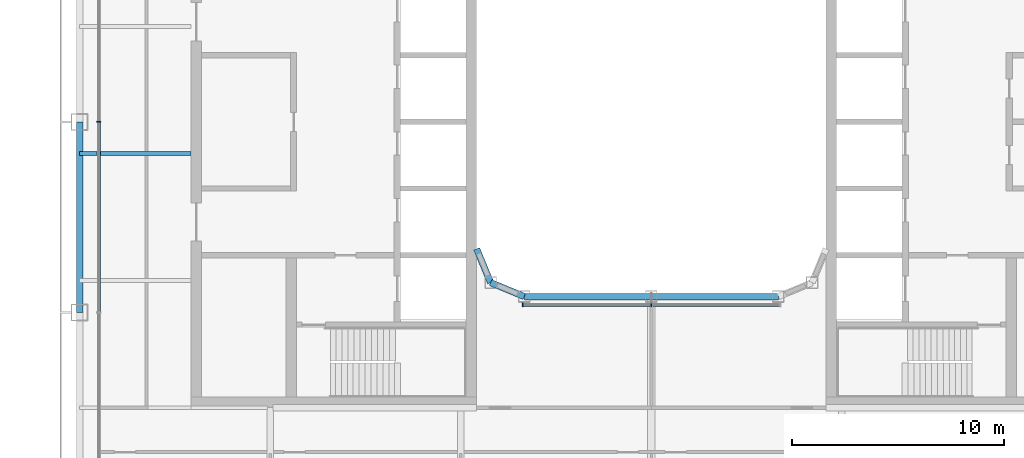
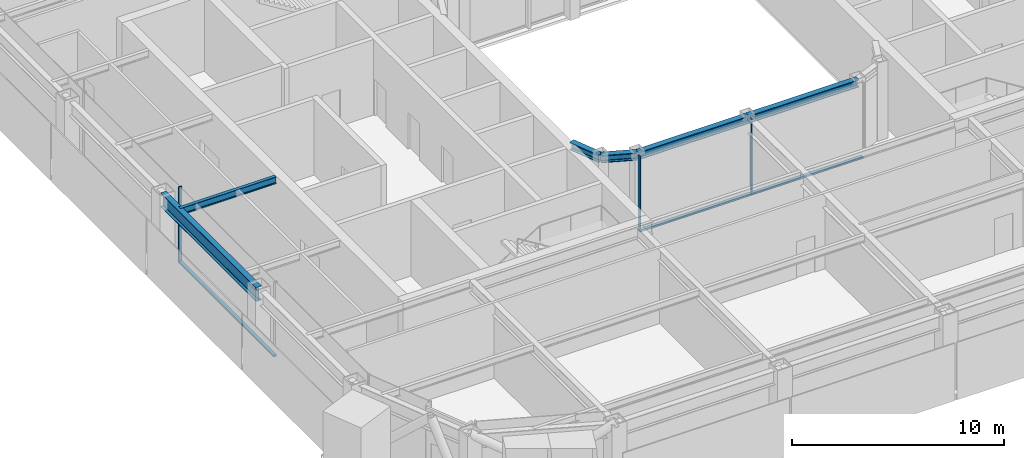
# One storey, part 3 of 23: 6 beams, 6 members, 2 elements without a shape of their own.
"""IFC4 building model written with IfcOpenShell, lengths in metres."""

from ifc_helpers import new_model, si_unit, direction, frame, origin, origin_2d, place, context, subcontext, project, spatial, rectangle, i_section, extrude, material, layer, layer_set, material_profile, profile_set, type_object, element, aggregate, save


model = new_model("IFC4")

# Units and contexts
model_context = context("Model", 3, precision=1e-05, world=origin(), true_north=direction((0.0, 1.0)))
body_context = subcontext(model_context, "Body", "Model", "MODEL_VIEW")
ifc_project = project(units=[si_unit("LENGTHUNIT", "METRE"), si_unit("AREAUNIT", "SQUARE_METRE"), si_unit("VOLUMEUNIT", "CUBIC_METRE"), si_unit("PLANEANGLEUNIT", "RADIAN"), si_unit("MASSUNIT", "GRAM", prefix="KILO")], contexts=[model_context])

# Site, building, storey
site_placement = place(None, origin())
site = spatial("IfcSite", under=ifc_project, at=site_placement, CompositionType="ELEMENT")
building_placement = place(site_placement, origin())
building = spatial("IfcBuilding", under=site, at=building_placement, Name="Siwar Civic Tower", CompositionType="ELEMENT")
storey_placement = place(building_placement, frame((0.0, 0.0, 269.199951171875)))
storey = spatial("IfcBuildingStorey", under=building, at=storey_placement, Name="L58", CompositionType="ELEMENT", Elevation=269.199951171875)

# Curtain wall, member
ifc_material_1 = material(Name="Aluminium and glass", Category="aluminium")
ifc_layer_1 = layer(ifc_material_1, 0.179931640625)
ifc_layer_set_1 = layer_set([ifc_layer_1], Name="Aluminium and glass")
curtain_wall_type_1 = type_object("IfcCurtainWallType", Name="ENV-CW-C", PredefinedType="NOTDEFINED", material=ifc_layer_set_1)
curtain_wall_1_placement = place(storey_placement, origin())
curtain_wall_1 = element("IfcCurtainWall", 1, at=curtain_wall_1_placement, inside=storey, type_object=curtain_wall_type_1, Name="Curtain wall C W", PredefinedType="NOTDEFINED")
ifc_material_2 = material(Name="Aluminium 6063-T6", Category="aluminium")
ifc_material_profile_1 = material_profile(ifc_material_2, rectangle(XDim=0.179931640625, YDim=0.06005859375, at=origin_2d()), Name="AL 180x60")
ifc_profile_set_1 = profile_set([ifc_material_profile_1], Name="Aluminium 6063-T6")
member_type_1 = type_object("IfcMemberType", Name="ENV-MULLION-C", PredefinedType="MULLION", material=ifc_profile_set_1)
member_1_placement = place(storey_placement, frame((-26.10009765625, 0.0, 0.0), z_axis=(0.0, 0.0, 1.0), x_axis=(1.0, 0.0, 0.0)))
member_1 = element("IfcMember", 2, at=member_1_placement, type_object=member_type_1, Name="Mullion C W 3", PredefinedType="MULLION", context=body_context, shape_type="SweptSolid", body=[
    extrude(rectangle(XDim=0.179931640625, YDim=0.06005859375, at=origin_2d()), origin(), (0.0, 0.0, 1.0), 4.35009765625),
])

# Curtain wall, members
ifc_material_3 = material(Name="Aluminium and glass", Category="aluminium")
ifc_layer_2 = layer(ifc_material_3, 0.179931640625)
ifc_layer_set_2 = layer_set([ifc_layer_2], Name="Aluminium and glass")
curtain_wall_type_2 = type_object("IfcCurtainWallType", Name="ENV-CW-W", PredefinedType="NOTDEFINED", material=ifc_layer_set_2)
curtain_wall_2_placement = place(storey_placement, origin())
curtain_wall_2 = element("IfcCurtainWall", 3, at=curtain_wall_2_placement, inside=storey, type_object=curtain_wall_type_2, Name="Curtain wall W WS", PredefinedType="NOTDEFINED")
ifc_material_4 = material(Name="Aluminium 6063-T6", Category="aluminium")
ifc_material_profile_2 = material_profile(ifc_material_4, rectangle(XDim=0.179931640625, YDim=0.06005859375, at=origin_2d()), Name="AL 180x60")
ifc_profile_set_2 = profile_set([ifc_material_profile_2], Name="Aluminium 6063-T6")
member_type_2 = type_object("IfcMemberType", Name="ENV-MULLION-W", PredefinedType="MULLION", material=ifc_profile_set_2)
member_2_placement = place(storey_placement, frame((-6.07666015625, -8.635009765625, 0.0), z_axis=(0.0, 0.0, 1.0), x_axis=(0.0, 1.0, 0.0)))
member_2 = element("IfcMember", 4, at=member_2_placement, type_object=member_type_2, Name="Mullion W WS 1", PredefinedType="MULLION", context=body_context, shape_type="SweptSolid", body=[
    extrude(rectangle(XDim=0.179931640625, YDim=0.06005859375, at=origin_2d()), origin(), (0.0, 0.0, 1.0), 4.35009765625),
])
member_3_placement = place(storey_placement, frame((0.0, -8.635009765625, 0.0), z_axis=(0.0, 0.0, 1.0), x_axis=(0.0, 1.0, 0.0)))
member_3 = element("IfcMember", 5, at=member_3_placement, type_object=member_type_2, Name="Mullion W WS 2", PredefinedType="MULLION", context=body_context, shape_type="SweptSolid", body=[
    extrude(rectangle(XDim=0.179931640625, YDim=0.06005859375, at=origin_2d()), origin(), (0.0, 0.0, 1.0), 4.35009765625),
])

# Member
ifc_material_5 = material(Name="Aluminium 6063-T6", Category="aluminium")
ifc_material_profile_3 = material_profile(ifc_material_5, rectangle(XDim=0.179931640625, YDim=0.10009765625, at=origin_2d()), Name="AL 180x100")
ifc_profile_set_3 = profile_set([ifc_material_profile_3], Name="Aluminium 6063-T6")
member_type_3 = type_object("IfcMemberType", Name="ENV-TRANSOM-C", PredefinedType="USERDEFINED", material=ifc_profile_set_3)
member_4_placement = place(storey_placement, frame((-26.10009765625, -0.030029296875, 0.050048828125), z_axis=(0.0, -1.0, 0.0), x_axis=(1.0, 0.0, 0.0)))
member_4 = element("IfcMember", 6, at=member_4_placement, type_object=member_type_3, Name="Transom C W 3", ObjectType="TRANSOM", PredefinedType="USERDEFINED", context=body_context, shape_type="SweptSolid", body=[
    extrude(rectangle(XDim=0.179931640625, YDim=0.10009765625, at=origin_2d()), origin(), (0.0, 0.0, 1.0), 8.93994140625),
])

aggregate(curtain_wall_1, [member_1, member_4])

ifc_material_6 = material(Name="Aluminium 6063-T6", Category="aluminium")
ifc_material_profile_4 = material_profile(ifc_material_6, rectangle(XDim=0.179931640625, YDim=0.10009765625, at=origin_2d()), Name="AL 180x100")
ifc_profile_set_4 = profile_set([ifc_material_profile_4], Name="Aluminium 6063-T6")
member_type_4 = type_object("IfcMemberType", Name="ENV-TRANSOM-W", PredefinedType="USERDEFINED", material=ifc_profile_set_4)
member_5_placement = place(storey_placement, frame((-6.046630859375, -8.635009765625, 0.050048828125), z_axis=(1.0, 0.0, 0.0), x_axis=(0.0, 1.0, 0.0)))
member_5 = element("IfcMember", 7, at=member_5_placement, type_object=member_type_4, Name="Transom W WS 1", ObjectType="TRANSOM", PredefinedType="USERDEFINED", context=body_context, shape_type="SweptSolid", body=[
    extrude(rectangle(XDim=0.179931640625, YDim=0.10009765625, at=origin_2d()), origin(), (0.0, 0.0, 1.0), 6.0166015625),
])

member_6_placement = place(storey_placement, frame((0.030029296875, -8.635009765625, 0.050048828125), z_axis=(1.0, 0.0, 0.0), x_axis=(0.0, 1.0, 0.0)))
member_6 = element("IfcMember", 8, at=member_6_placement, type_object=member_type_4, Name="Transom W WS 2", ObjectType="TRANSOM", PredefinedType="USERDEFINED", context=body_context, shape_type="SweptSolid", body=[
    extrude(rectangle(XDim=0.179931640625, YDim=0.10009765625, at=origin_2d()), origin(), (0.0, 0.0, 1.0), 6.0166015625),
])

aggregate(curtain_wall_2, [member_2, member_3, member_5, member_6])

# Beams
ifc_material_7 = material(Name="Steel S355", Category="steel")
ifc_material_profile_5 = material_profile(ifc_material_7, i_section(OverallWidth=0.179931640625, OverallDepth=0.39990234375, WebThickness=0.008544921875, FlangeThickness=0.013427734375, FilletRadius=0.02099609375, at=origin_2d()), Name="IPE400")
ifc_profile_set_5 = profile_set([ifc_material_profile_5], Name="Steel S355")
beam_type_1 = type_object("IfcBeamType", Name="STR-FB-IPE400", PredefinedType="JOIST", material=ifc_profile_set_5)
beam_1_placement = place(storey_placement, frame((-27.0, -1.5, 4.150146484375), z_axis=(1.0, 0.0, 0.0), x_axis=(0.0, 1.0, 0.0)))
element("IfcBeam", 9, at=beam_1_placement, inside=storey, type_object=beam_type_1, Name="L58/bm/F023", PredefinedType="JOIST", context=body_context, shape_type="SweptSolid", body=[
    extrude(i_section(OverallWidth=0.179931640625, OverallDepth=0.39990234375, WebThickness=0.008544921875, FlangeThickness=0.013427734375, FilletRadius=0.02099609375, at=origin_2d()), origin(), (0.0, 0.0, 1.0), 5.25),
])
ifc_material_8 = material(Name="Steel S355", Category="steel")
ifc_material_profile_6 = material_profile(ifc_material_8, i_section(OverallWidth=0.306884765625, OverallDepth=0.431884765625, WebThickness=0.02099609375, FlangeThickness=0.0400390625, FilletRadius=0.027099609375, at=origin_2d()), Name="HEM400")
ifc_profile_set_6 = profile_set([ifc_material_profile_6], Name="Steel S355")
beam_type_2 = type_object("IfcBeamType", Name="STR-RB-HEM400", PredefinedType="BEAM", material=ifc_profile_set_6)
beam_2_placement = place(storey_placement, frame((-7.591064453125, -7.591064453125, 4.134033203125), z_axis=(0.923901072997, -0.382631424892, 0.0), x_axis=(0.382631424892, 0.923901072997, 0.0)))
element("IfcBeam", 10, at=beam_2_placement, inside=storey, type_object=beam_type_2, Name="L58/bm/RS0", PredefinedType="BEAM", context=body_context, shape_type="SweptSolid", body=[
    extrude(i_section(OverallWidth=0.306884765625, OverallDepth=0.431884765625, WebThickness=0.02099609375, FlangeThickness=0.0400390625, FilletRadius=0.027099609375, at=origin_2d()), origin(), (0.0, 0.0, 1.0), 1.72216796875),
])
for number, where, z_axis, x_axis, name in (
    (11, (-6.0, -8.25, 4.134033203125), (1.0, 0.0, 0.0), (0.0, 1.0, 0.0), "L58/bm/RS1"),
    (12, (0.0, -8.25, 4.134033203125), (1.0, 0.0, 0.0), (0.0, 1.0, 0.0), "L58/bm/RS2"),
):
    element("IfcBeam", number, at=place(storey_placement, frame(where, z_axis=z_axis, x_axis=x_axis)), inside=storey, type_object=beam_type_2, Name=name, PredefinedType="BEAM", context=body_context, shape_type="SweptSolid", body=[
        extrude(i_section(OverallWidth=0.306884765625, OverallDepth=0.431884765625, WebThickness=0.02099609375, FlangeThickness=0.0400390625, FilletRadius=0.027099609375, at=origin_2d()), origin(), (0.0, 0.0, 1.0), 6.0),
    ])
beam_3_placement = place(storey_placement, frame((-7.591064453125, -7.591064453125, 4.134033203125), z_axis=(-0.382631424892, 0.923901072997, 0.0), x_axis=(-0.923901072997, -0.382631424892, 0.0)))
element("IfcBeam", 13, at=beam_3_placement, inside=storey, type_object=beam_type_2, Name="L58/bm/RSEW", PredefinedType="BEAM", context=body_context, shape_type="SweptSolid", body=[
    extrude(i_section(OverallWidth=0.306884765625, OverallDepth=0.431884765625, WebThickness=0.02099609375, FlangeThickness=0.0400390625, FilletRadius=0.027099609375, at=origin_2d()), origin(), (0.0, 0.0, 1.0), 1.72216796875),
])
ifc_material_9 = material(Name="Steel S355", Category="steel")
ifc_material_profile_7 = material_profile(ifc_material_9, i_section(OverallWidth=0.300048828125, OverallDepth=0.800048828125, WebThickness=0.017578125, FlangeThickness=0.032958984375, FilletRadius=0.030029296875, at=origin_2d()), Name="HEB800")
ifc_profile_set_7 = profile_set([ifc_material_profile_7], Name="Steel S355")
beam_type_3 = type_object("IfcBeamType", Name="STR-SB-HEB800", PredefinedType="BEAM", material=ifc_profile_set_7)
beam_4_placement = place(storey_placement, frame((-27.0, 0.0, 3.949951171875), z_axis=(0.0, -1.0, 0.0), x_axis=(1.0, 0.0, 0.0)))
element("IfcBeam", 14, at=beam_4_placement, inside=storey, type_object=beam_type_3, Name="L58/bm/SW-2", PredefinedType="BEAM", context=body_context, shape_type="SweptSolid", body=[
    extrude(i_section(OverallWidth=0.300048828125, OverallDepth=0.800048828125, WebThickness=0.017578125, FlangeThickness=0.032958984375, FilletRadius=0.030029296875, at=origin_2d()), origin(), (0.0, 0.0, 1.0), 9.0),
])

save(model, "model.ifc")
